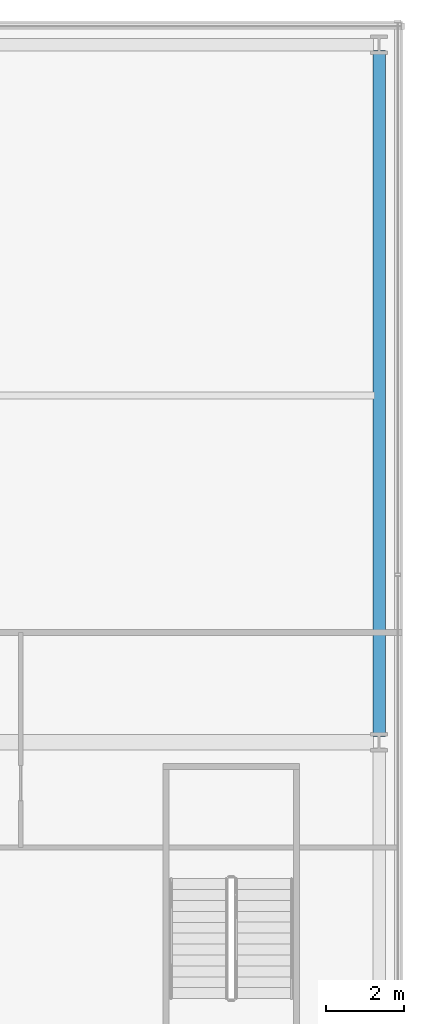
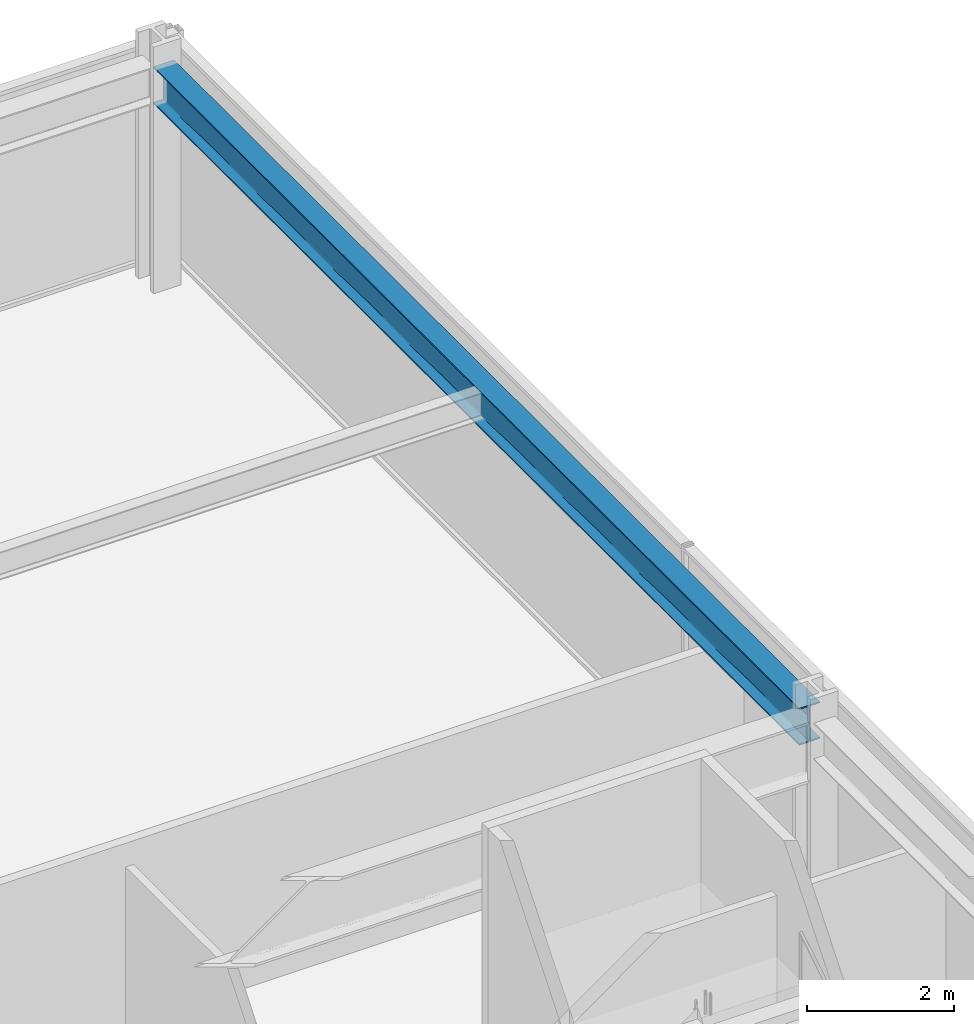
# One storey, part 31 of 39: 1 beam.
"""IFC4 building model written with IfcOpenShell, lengths in metres."""

from ifc_helpers import new_model, si_unit, direction, frame, origin, origin_2d, place, context, subcontext, project, spatial, i_section, extrude, material, material_profile, profile_set, type_object, element, save


model = new_model("IFC4")

# Units and contexts
model_context = context("Model", 3, precision=1e-05, world=origin(), true_north=direction((0.0, 1.0)))
body_context = subcontext(model_context, "Body", "Model", "MODEL_VIEW")
ifc_project = project(units=[si_unit("LENGTHUNIT", "METRE"), si_unit("AREAUNIT", "SQUARE_METRE"), si_unit("VOLUMEUNIT", "CUBIC_METRE"), si_unit("PLANEANGLEUNIT", "RADIAN"), si_unit("MASSUNIT", "GRAM", prefix="KILO")], contexts=[model_context])

# Site, building, storey
site_placement = place(None, origin())
site = spatial("IfcSite", under=ifc_project, at=site_placement, CompositionType="ELEMENT")
building_placement = place(site_placement, origin())
building = spatial("IfcBuilding", under=site, at=building_placement, Name="Kolvaren Belvedere", CompositionType="ELEMENT")
storey_placement = place(building_placement, frame((0.0, 0.0, 15.199951171875)))
storey = spatial("IfcBuildingStorey", under=building, at=storey_placement, Name="L04", CompositionType="ELEMENT", Elevation=15.199951171875)

# Beam
ifc_material = material(Name="Structural steel ASTM A992 Grade 50", Category="steel")
ifc_material_profile = material_profile(ifc_material, i_section(OverallWidth=0.324951171875, OverallDepth=0.615966796875, WebThickness=0.013916015625, FlangeThickness=0.021484375, FilletRadius=0.02001953125, at=origin_2d()), Name="W24X117")
ifc_profile_set = profile_set([ifc_material_profile], Name="Structural steel ASTM A992 Grade 50")
beam_type = type_object("IfcBeamType", Name="BM-SPAN-W24X117", PredefinedType="SPANDREL", material=ifc_profile_set)
beam_placement = place(storey_placement, frame((27.39990234375, 10.050048828125, 3.39208984375), z_axis=(0.0, 1.0, 0.0), x_axis=(-1.0, 0.0, 0.0)))
element("IfcBeam", 1, at=beam_placement, inside=storey, type_object=beam_type, Name="L04 E Podium Spandrel 3", PredefinedType="SPANDREL", context=body_context, shape_type="SweptSolid", body=[
    extrude(i_section(OverallWidth=0.324951171875, OverallDepth=0.615966796875, WebThickness=0.013916015625, FlangeThickness=0.021484375, FilletRadius=0.02001953125, at=origin_2d()), origin(), (0.0, 0.0, 1.0), 17.599853515625),
])

save(model, "model.ifc")
